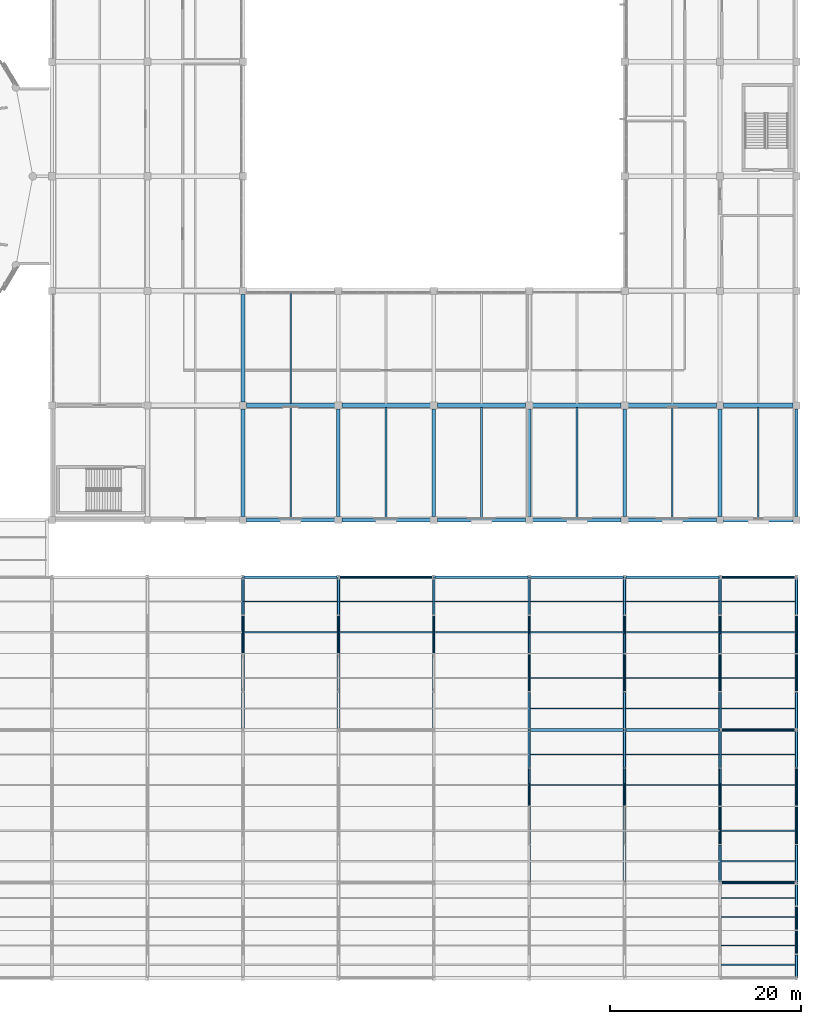
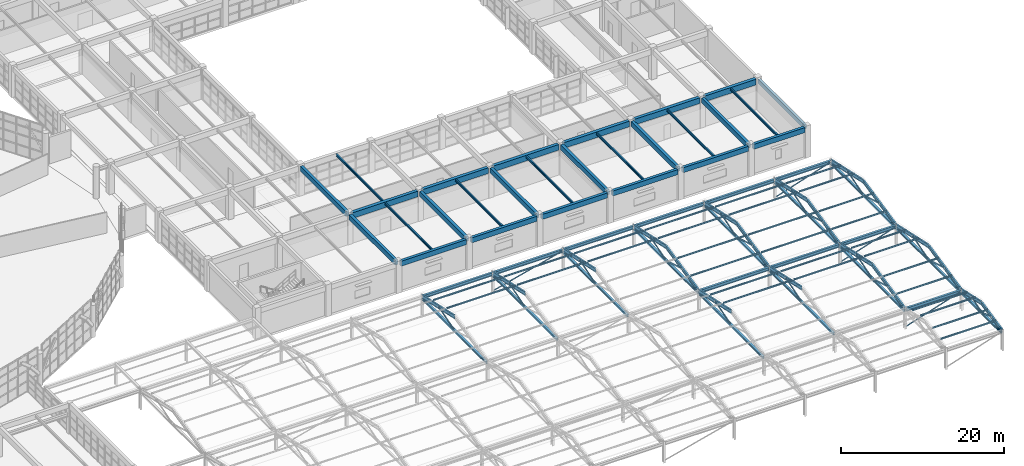
# One storey, part 49 of 109: 65 members, 56 beams.
"""IFC4 building model written with IfcOpenShell, lengths in metres."""

from ifc_helpers import new_model, si_unit, direction, frame, origin, origin_2d, place, context, subcontext, project, spatial, rectangle, hollow_rectangle, hollow_circle, i_section, extrude, material, material_profile, profile_set, type_object, element, save


model = new_model("IFC4")

# Units and contexts
model_context = context("Model", 3, precision=1e-05, world=origin(), true_north=direction((0.0, 1.0)))
body_context = subcontext(model_context, "Body", "Model", "MODEL_VIEW")
ifc_project = project(units=[si_unit("LENGTHUNIT", "METRE"), si_unit("AREAUNIT", "SQUARE_METRE"), si_unit("VOLUMEUNIT", "CUBIC_METRE"), si_unit("PLANEANGLEUNIT", "RADIAN"), si_unit("MASSUNIT", "GRAM", prefix="KILO")], contexts=[model_context])

# Site, building, storey
site_placement = place(None, origin())
site = spatial("IfcSite", under=ifc_project, at=site_placement, CompositionType="ELEMENT")
building_placement = place(site_placement, origin())
building = spatial("IfcBuilding", under=site, at=building_placement, Name="Kivolera Central Railway Station", CompositionType="ELEMENT")
storey_placement = place(building_placement, frame((0.0, 0.0, 9.60009765625)))
storey = spatial("IfcBuildingStorey", under=building, at=storey_placement, Name="L02", CompositionType="ELEMENT", Elevation=9.60009765625)

# Beams
ifc_material_1 = material(Name="Steel S355", Category="steel")
ifc_material_profile_1 = material_profile(ifc_material_1, i_section(OverallWidth=0.169921875, OverallDepth=0.360107421875, WebThickness=0.008056640625, FlangeThickness=0.0126953125, FilletRadius=0.01806640625, at=origin_2d()), Name="IPE 360")
ifc_profile_set_1 = profile_set([ifc_material_profile_1], Name="Steel S355")
beam_type_1 = type_object("IfcBeamType", Name="BM-JST-IPE360", PredefinedType="JOIST", material=ifc_profile_set_1)
beam_1_placement = place(storey_placement, frame((143.0, 54.19189453125, 4.327880859375), z_axis=(0.0, 1.0, 0.0), x_axis=(-1.0, 0.0, 0.0)))
element("IfcBeam", 1, at=beam_1_placement, inside=storey, type_object=beam_type_1, Name="L02 Floor Joist 14-15/E-F", PredefinedType="JOIST", context=body_context, shape_type="SweptSolid", body=[
    extrude(i_section(OverallWidth=0.169921875, OverallDepth=0.360107421875, WebThickness=0.008056640625, FlangeThickness=0.0126953125, FilletRadius=0.01806640625, at=origin_2d()), origin(), (0.0, 0.0, 1.0), 11.591064453125),
])
beam_2_placement = place(storey_placement, frame((143.0, 66.217041015625, 4.327880859375), z_axis=(0.0, 1.0, 0.0), x_axis=(-1.0, 0.0, 0.0)))
element("IfcBeam", 2, at=beam_2_placement, inside=storey, type_object=beam_type_1, Name="L02 Floor Joist 14-15/F-G", PredefinedType="JOIST", context=body_context, shape_type="SweptSolid", body=[
    extrude(i_section(OverallWidth=0.169921875, OverallDepth=0.360107421875, WebThickness=0.008056640625, FlangeThickness=0.0126953125, FilletRadius=0.01806640625, at=origin_2d()), origin(), (0.0, 0.0, 1.0), 11.56591796875),
])
for number, where, z_axis, x_axis, name in (
    (3, (153.0, 54.19189453125, 4.327880859375), (0.0, 1.0, 0.0), (-1.0, 0.0, 0.0), "L02 Floor Joist 15-16/E-F"),
    (4, (163.0, 54.19189453125, 4.327880859375), (0.0, 1.0, 0.0), (-1.0, 0.0, 0.0), "L02 Floor Joist 16-17/E-F"),
    (5, (173.0, 54.19189453125, 4.327880859375), (0.0, 1.0, 0.0), (-1.0, 0.0, 0.0), "L02 Floor Joist 17-18/E-F"),
    (6, (183.0, 54.19189453125, 4.327880859375), (0.0, 1.0, 0.0), (-1.0, 0.0, 0.0), "L02 Floor Joist 18-19/E-F"),
    (7, (192.0, 54.19189453125, 4.327880859375), (0.0, 1.0, 0.0), (-1.0, 0.0, 0.0), "L02 Floor Joist 19-20/E-F"),
):
    element("IfcBeam", number, at=place(storey_placement, frame(where, z_axis=z_axis, x_axis=x_axis)), inside=storey, type_object=beam_type_1, Name=name, PredefinedType="JOIST", context=body_context, shape_type="SweptSolid", body=[
        extrude(i_section(OverallWidth=0.169921875, OverallDepth=0.360107421875, WebThickness=0.008056640625, FlangeThickness=0.0126953125, FilletRadius=0.01806640625, at=origin_2d()), origin(), (0.0, 0.0, 1.0), 11.591064453125),
    ])
ifc_material_2 = material(Name="Concrete C40/50", Category="concrete")
ifc_material_profile_2 = material_profile(ifc_material_2, rectangle(XDim=0.39990234375, YDim=0.75, at=origin_2d()), Name="RC 400x750")
ifc_profile_set_2 = profile_set([ifc_material_profile_2], Name="Concrete C40/50")
beam_type_2 = type_object("IfcBeamType", Name="BM-RC-400x750", PredefinedType="BEAM", material=ifc_profile_set_2)
for number, where, z_axis, x_axis, name in (
    (8, (138.0, 54.366943359375, 4.14501953125), (0.0, 1.0, 0.0), (-1.0, 0.0, 0.0), "L02 Wing Y-Beam 14:E-F"),
    (9, (138.0, 66.366943359375, 4.14501953125), (0.0, 1.0, 0.0), (-1.0, 0.0, 0.0), "L02 Wing Y-Beam 14:F-G"),
    (10, (148.0, 54.366943359375, 4.14501953125), (0.0, 1.0, 0.0), (-1.0, 0.0, 0.0), "L02 Wing Y-Beam 15:E-F"),
    (11, (158.0, 54.366943359375, 4.14501953125), (0.0, 1.0, 0.0), (-1.0, 0.0, 0.0), "L02 Wing Y-Beam 16:E-F"),
    (12, (168.0, 54.366943359375, 4.14501953125), (0.0, 1.0, 0.0), (-1.0, 0.0, 0.0), "L02 Wing Y-Beam 17:E-F"),
    (13, (178.0, 54.366943359375, 4.14501953125), (0.0, 1.0, 0.0), (-1.0, 0.0, 0.0), "L02 Wing Y-Beam 18:E-F"),
    (14, (188.0, 54.366943359375, 4.14501953125), (0.0, 1.0, 0.0), (-1.0, 0.0, 0.0), "L02 Wing Y-Beam 19:E-F"),
):
    element("IfcBeam", number, at=place(storey_placement, frame(where, z_axis=z_axis, x_axis=x_axis)), inside=storey, type_object=beam_type_2, Name=name, PredefinedType="BEAM", context=body_context, shape_type="SweptSolid", body=[
        extrude(rectangle(XDim=0.39990234375, YDim=0.75, at=origin_2d()), origin(), (0.0, 0.0, 1.0), 11.26611328125),
    ])
ifc_material_profile_3 = material_profile(ifc_material_2, rectangle(XDim=0.449951171875, YDim=0.85009765625, at=origin_2d()), Name="RC 450x850")
ifc_profile_set_3 = profile_set([ifc_material_profile_3], Name="Concrete C40/50")
beam_type_3 = type_object("IfcBeamType", Name="BM-RC-450x850", PredefinedType="BEAM", material=ifc_profile_set_3)
for number, where, z_axis, x_axis, name in (
    (15, (138.366943359375, 66.0, 4.094970703125), (1.0, 0.0, 0.0), (0.0, 1.0, 0.0), "L02 Wing X-Beam F:14-15"),
    (16, (148.366943359375, 66.0, 4.094970703125), (1.0, 0.0, 0.0), (0.0, 1.0, 0.0), "L02 Wing X-Beam F:15-16"),
    (17, (158.366943359375, 66.0, 4.094970703125), (1.0, 0.0, 0.0), (0.0, 1.0, 0.0), "L02 Wing X-Beam F:16-17"),
    (18, (168.366943359375, 66.0, 4.094970703125), (1.0, 0.0, 0.0), (0.0, 1.0, 0.0), "L02 Wing X-Beam F:17-18"),
    (19, (178.366943359375, 66.0, 4.094970703125), (1.0, 0.0, 0.0), (0.0, 1.0, 0.0), "L02 Wing X-Beam F:18-19"),
):
    element("IfcBeam", number, at=place(storey_placement, frame(where, z_axis=z_axis, x_axis=x_axis)), inside=storey, type_object=beam_type_3, Name=name, PredefinedType="BEAM", context=body_context, shape_type="SweptSolid", body=[
        extrude(rectangle(XDim=0.449951171875, YDim=0.85009765625, at=origin_2d()), origin(), (0.0, 0.0, 1.0), 9.26611328125),
    ])
beam_3_placement = place(storey_placement, frame((188.366943359375, 66.0, 4.094970703125), z_axis=(1.0, 0.0, 0.0), x_axis=(0.0, 1.0, 0.0)))
element("IfcBeam", 20, at=beam_3_placement, inside=storey, type_object=beam_type_3, Name="L02 Wing X-Beam F:19-20", PredefinedType="BEAM", context=body_context, shape_type="SweptSolid", body=[
    extrude(rectangle(XDim=0.449951171875, YDim=0.85009765625, at=origin_2d()), origin(), (0.0, 0.0, 1.0), 7.26611328125),
])
ifc_material_profile_4 = material_profile(ifc_material_1, i_section(OverallWidth=0.300048828125, OverallDepth=0.489990234375, WebThickness=0.011962890625, FlangeThickness=0.02294921875, FilletRadius=0.027099609375, at=origin_2d()), Name="HEA 500")
ifc_profile_set_4 = profile_set([ifc_material_profile_4], Name="Steel S355")
beam_type_4 = type_object("IfcBeamType", Name="BM-SHD-HEA500", PredefinedType="BEAM", material=ifc_profile_set_4)
for number, where, z_axis, x_axis, name in (
    (21, (138.136962890625, 48.0, 2.81982421875), (1.0, 0.0, 0.0), (0.0, 1.0, 0.0), "Train Shed Eave Girder D:14-15"),
    (22, (148.136962890625, 48.0, 2.81982421875), (1.0, 0.0, 0.0), (0.0, 1.0, 0.0), "Train Shed Eave Girder D:15-16"),
    (23, (158.136962890625, 48.0, 2.81982421875), (1.0, 0.0, 0.0), (0.0, 1.0, 0.0), "Train Shed Eave Girder D:16-17"),
    (24, (168.136962890625, 32.0, 2.81982421875), (1.0, 0.0, 0.0), (0.0, 1.0, 0.0), "Train Shed Eave Girder C:17-18"),
    (25, (168.136962890625, 48.0, 2.81982421875), (1.0, 0.0, 0.0), (0.0, 1.0, 0.0), "Train Shed Eave Girder D:17-18"),
    (26, (178.136962890625, 32.0, 2.81982421875), (1.0, 0.0, 0.0), (0.0, 1.0, 0.0), "Train Shed Eave Girder C:18-19"),
    (27, (178.136962890625, 48.0, 2.81982421875), (1.0, 0.0, 0.0), (0.0, 1.0, 0.0), "Train Shed Eave Girder D:18-19"),
):
    element("IfcBeam", number, at=place(storey_placement, frame(where, z_axis=z_axis, x_axis=x_axis)), inside=storey, type_object=beam_type_4, Name=name, PredefinedType="BEAM", context=body_context, shape_type="SweptSolid", body=[
        extrude(i_section(OverallWidth=0.300048828125, OverallDepth=0.489990234375, WebThickness=0.011962890625, FlangeThickness=0.02294921875, FilletRadius=0.027099609375, at=origin_2d()), origin(), (0.0, 0.0, 1.0), 9.72607421875),
    ])
for number, where, z_axis, x_axis, name in (
    (28, (188.136962890625, 16.0, 2.81982421875), (1.0, 0.0, 0.0), (0.0, 1.0, 0.0), "Train Shed Eave Girder B:19-20"),
    (29, (188.136962890625, 32.0, 2.81982421875), (1.0, 0.0, 0.0), (0.0, 1.0, 0.0), "Train Shed Eave Girder C:19-20"),
    (30, (188.136962890625, 48.0, 2.81982421875), (1.0, 0.0, 0.0), (0.0, 1.0, 0.0), "Train Shed Eave Girder D:19-20"),
):
    element("IfcBeam", number, at=place(storey_placement, frame(where, z_axis=z_axis, x_axis=x_axis)), inside=storey, type_object=beam_type_4, Name=name, PredefinedType="BEAM", context=body_context, shape_type="SweptSolid", body=[
        extrude(i_section(OverallWidth=0.300048828125, OverallDepth=0.489990234375, WebThickness=0.011962890625, FlangeThickness=0.02294921875, FilletRadius=0.027099609375, at=origin_2d()), origin(), (0.0, 0.0, 1.0), 7.72607421875),
    ])
ifc_material_profile_5 = material_profile(ifc_material_1, i_section(OverallWidth=0.209228515625, OverallDepth=0.533203125, WebThickness=0.010009765625, FlangeThickness=0.015625, FilletRadius=0.0126953125, at=origin_2d()), Name="UB 533x210x92")
ifc_profile_set_5 = profile_set([ifc_material_profile_5], Name="Steel S355")
beam_type_5 = type_object("IfcBeamType", Name="BM-SHD-UB533", PredefinedType="BEAM", material=ifc_profile_set_5)
for number, where, z_axis, x_axis, name in (
    (31, (138.0, 40.0, 4.684814453125), (0.0, 0.97664421653, -0.214862919829), (-1.0, 0.0, 0.0), "Train Shed Roof Truss Top Rafter CD-14N"),
    (32, (148.0, 40.0, 4.684814453125), (0.0, 0.97664421653, -0.214862919829), (-1.0, 0.0, 0.0), "Train Shed Roof Truss Top Rafter CD-15N"),
    (33, (158.0, 40.0, 4.684814453125), (0.0, 0.97664421653, -0.214862919829), (-1.0, 0.0, 0.0), "Train Shed Roof Truss Top Rafter CD-16N"),
    (34, (168.0, 24.0, 4.684814453125), (0.0, 0.97664421653, -0.214862919829), (-1.0, 0.0, 0.0), "Train Shed Roof Truss Top Rafter BC-17N"),
    (35, (168.0, 32.0, 2.9248046875), (0.0, 0.97664421653, 0.214862919829), (-1.0, 0.0, 0.0), "Train Shed Roof Truss Top Rafter CD-17S"),
    (36, (168.0, 40.0, 4.684814453125), (0.0, 0.97664421653, -0.214862919829), (-1.0, 0.0, 0.0), "Train Shed Roof Truss Top Rafter CD-17N"),
    (37, (178.0, 24.0, 4.684814453125), (0.0, 0.97664421653, -0.214862919829), (-1.0, 0.0, 0.0), "Train Shed Roof Truss Top Rafter BC-18N"),
    (38, (178.0, 32.0, 2.9248046875), (0.0, 0.97664421653, 0.214862919829), (-1.0, 0.0, 0.0), "Train Shed Roof Truss Top Rafter CD-18S"),
    (39, (178.0, 40.0, 4.684814453125), (0.0, 0.97664421653, -0.214862919829), (-1.0, 0.0, 0.0), "Train Shed Roof Truss Top Rafter CD-18N"),
    (40, (188.0, 16.0, 2.9248046875), (0.0, 0.97664421653, 0.214862919829), (-1.0, 0.0, 0.0), "Train Shed Roof Truss Top Rafter BC-19S"),
    (41, (188.0, 24.0, 4.684814453125), (0.0, 0.97664421653, -0.214862919829), (-1.0, 0.0, 0.0), "Train Shed Roof Truss Top Rafter BC-19N"),
    (42, (188.0, 32.0, 2.9248046875), (0.0, 0.97664421653, 0.214862919829), (-1.0, 0.0, 0.0), "Train Shed Roof Truss Top Rafter CD-19S"),
    (43, (188.0, 40.0, 4.684814453125), (0.0, 0.97664421653, -0.214862919829), (-1.0, 0.0, 0.0), "Train Shed Roof Truss Top Rafter CD-19N"),
):
    element("IfcBeam", number, at=place(storey_placement, frame(where, z_axis=z_axis, x_axis=x_axis)), inside=storey, type_object=beam_type_5, Name=name, PredefinedType="BEAM", context=body_context, shape_type="SweptSolid", body=[
        extrude(i_section(OverallWidth=0.209228515625, OverallDepth=0.533203125, WebThickness=0.010009765625, FlangeThickness=0.015625, FilletRadius=0.0126953125, at=origin_2d()), origin(), (0.0, 0.0, 1.0), 8.19140625),
    ])
for number, where, z_axis, x_axis, name in (
    (44, (196.0, 6.0, 2.9248046875), (0.0, 0.976640463768, 0.214879977038), (-1.0, 0.0, 0.0), "Train Shed Roof Truss Top Rafter AB-20S"),
    (45, (196.0, 11.0, 4.02490234375), (0.0, 0.976640463768, -0.214879977038), (-1.0, 0.0, 0.0), "Train Shed Roof Truss Top Rafter AB-20N"),
):
    element("IfcBeam", number, at=place(storey_placement, frame(where, z_axis=z_axis, x_axis=x_axis)), inside=storey, type_object=beam_type_5, Name=name, PredefinedType="BEAM", context=body_context, shape_type="SweptSolid", body=[
        extrude(i_section(OverallWidth=0.209228515625, OverallDepth=0.533203125, WebThickness=0.010009765625, FlangeThickness=0.015625, FilletRadius=0.0126953125, at=origin_2d()), origin(), (0.0, 0.0, 1.0), 5.11962890625),
    ])
for number, where, z_axis, x_axis, name in (
    (46, (196.0, 16.0, 2.9248046875), (0.0, 0.97664421653, 0.214862919829), (-1.0, 0.0, 0.0), "Train Shed Roof Truss Top Rafter BC-20S"),
    (47, (196.0, 24.0, 4.684814453125), (0.0, 0.97664421653, -0.214862919829), (-1.0, 0.0, 0.0), "Train Shed Roof Truss Top Rafter BC-20N"),
    (48, (196.0, 32.0, 2.9248046875), (0.0, 0.97664421653, 0.214862919829), (-1.0, 0.0, 0.0), "Train Shed Roof Truss Top Rafter CD-20S"),
    (49, (196.0, 40.0, 4.684814453125), (0.0, 0.97664421653, -0.214862919829), (-1.0, 0.0, 0.0), "Train Shed Roof Truss Top Rafter CD-20N"),
):
    element("IfcBeam", number, at=place(storey_placement, frame(where, z_axis=z_axis, x_axis=x_axis)), inside=storey, type_object=beam_type_5, Name=name, PredefinedType="BEAM", context=body_context, shape_type="SweptSolid", body=[
        extrude(i_section(OverallWidth=0.209228515625, OverallDepth=0.533203125, WebThickness=0.010009765625, FlangeThickness=0.015625, FilletRadius=0.0126953125, at=origin_2d()), origin(), (0.0, 0.0, 1.0), 8.19140625),
    ])
ifc_material_profile_6 = material_profile(ifc_material_2, rectangle(XDim=0.35009765625, YDim=0.64990234375, at=origin_2d()), Name="RC 350x650")
ifc_profile_set_6 = profile_set([ifc_material_profile_6], Name="Concrete C40/50")
beam_type_6 = type_object("IfcBeamType", Name="BM-SPN-RC650", PredefinedType="SPANDREL", material=ifc_profile_set_6)
beam_4_placement = place(storey_placement, frame((196.0, 54.366943359375, 4.19482421875), z_axis=(0.0, 1.0, 0.0), x_axis=(-1.0, 0.0, 0.0)))
element("IfcBeam", 50, at=beam_4_placement, inside=storey, type_object=beam_type_6, Name="L02 Wing Y-Beam 20:E-F", PredefinedType="SPANDREL", context=body_context, shape_type="SweptSolid", body=[
    extrude(rectangle(XDim=0.35009765625, YDim=0.64990234375, at=origin_2d()), origin(), (0.0, 0.0, 1.0), 11.26611328125),
])
ifc_material_profile_7 = material_profile(ifc_material_2, rectangle(XDim=0.39990234375, YDim=0.75, at=origin_2d()), Name="RC 400x750")
ifc_profile_set_7 = profile_set([ifc_material_profile_7], Name="Concrete C40/50")
beam_type_7 = type_object("IfcBeamType", Name="BM-SPN-RC750", PredefinedType="SPANDREL", material=ifc_profile_set_7)
for number, where, z_axis, x_axis, name in (
    (51, (138.366943359375, 54.0, 4.14501953125), (1.0, 0.0, 0.0), (0.0, 1.0, 0.0), "L02 Wing X-Beam E:14-15"),
    (52, (148.366943359375, 54.0, 4.14501953125), (1.0, 0.0, 0.0), (0.0, 1.0, 0.0), "L02 Wing X-Beam E:15-16"),
    (53, (158.366943359375, 54.0, 4.14501953125), (1.0, 0.0, 0.0), (0.0, 1.0, 0.0), "L02 Wing X-Beam E:16-17"),
    (54, (168.366943359375, 54.0, 4.14501953125), (1.0, 0.0, 0.0), (0.0, 1.0, 0.0), "L02 Wing X-Beam E:17-18"),
    (55, (178.366943359375, 54.0, 4.14501953125), (1.0, 0.0, 0.0), (0.0, 1.0, 0.0), "L02 Wing X-Beam E:18-19"),
):
    element("IfcBeam", number, at=place(storey_placement, frame(where, z_axis=z_axis, x_axis=x_axis)), inside=storey, type_object=beam_type_7, Name=name, PredefinedType="SPANDREL", context=body_context, shape_type="SweptSolid", body=[
        extrude(rectangle(XDim=0.39990234375, YDim=0.75, at=origin_2d()), origin(), (0.0, 0.0, 1.0), 9.26611328125),
    ])
beam_5_placement = place(storey_placement, frame((188.366943359375, 54.0, 4.14501953125), z_axis=(1.0, 0.0, 0.0), x_axis=(0.0, 1.0, 0.0)))
element("IfcBeam", 56, at=beam_5_placement, inside=storey, type_object=beam_type_7, Name="L02 Wing X-Beam E:19-20", PredefinedType="SPANDREL", context=body_context, shape_type="SweptSolid", body=[
    extrude(rectangle(XDim=0.39990234375, YDim=0.75, at=origin_2d()), origin(), (0.0, 0.0, 1.0), 7.26611328125),
])

# Members
ifc_material_profile_8 = material_profile(ifc_material_1, hollow_circle(Radius=0.084228515625, WallThickness=0.008056640625, at=origin_2d()), Name="CHS 168.3x8")
ifc_profile_set_8 = profile_set([ifc_material_profile_8], Name="Steel S355")
member_type_1 = type_object("IfcMemberType", Name="MEM-BRC-CHS168", PredefinedType="BRACE", material=ifc_profile_set_8)
member_1_placement = place(storey_placement, frame((148.126953125, 48.0, 0.25), z_axis=(0.96863991136, 0.0, 0.248468754818), x_axis=(0.0, 1.0, 0.0)))
element("IfcMember", 57, at=member_1_placement, inside=storey, type_object=member_type_1, Name="Train Shed Longitudinal Portal Brace D:15-16", PredefinedType="BRACE", context=body_context, shape_type="SweptSolid", body=[
    extrude(hollow_circle(Radius=0.084228515625, WallThickness=0.008056640625, at=origin_2d()), origin(), (0.0, 0.0, 1.0), 10.0615234375),
])
for number, where, z_axis, x_axis, name in (
    (58, (188.126953125, 16.0, 0.25), (0.951663375487, 0.0, 0.307142995618), (0.0, 1.0, 0.0), "Train Shed Longitudinal Portal Brace B:19-20"),
    (59, (188.126953125, 32.0, 0.25), (0.951663375487, 0.0, 0.307142995618), (0.0, 1.0, 0.0), "Train Shed Longitudinal Portal Brace C:19-20"),
    (60, (188.126953125, 48.0, 0.25), (0.951663375487, 0.0, 0.307142995618), (0.0, 1.0, 0.0), "Train Shed Longitudinal Portal Brace D:19-20"),
):
    element("IfcMember", number, at=place(storey_placement, frame(where, z_axis=z_axis, x_axis=x_axis)), inside=storey, type_object=member_type_1, Name=name, PredefinedType="BRACE", context=body_context, shape_type="SweptSolid", body=[
        extrude(hollow_circle(Radius=0.084228515625, WallThickness=0.008056640625, at=origin_2d()), origin(), (0.0, 0.0, 1.0), 8.1396484375),
    ])
ifc_material_profile_9 = material_profile(ifc_material_1, i_section(OverallWidth=0.300048828125, OverallDepth=0.300048828125, WebThickness=0.010986328125, FlangeThickness=0.01904296875, FilletRadius=0.027099609375, at=origin_2d()), Name="HEB 300")
ifc_profile_set_9 = profile_set([ifc_material_profile_9], Name="Steel S355")
member_type_2 = type_object("IfcMemberType", Name="MEM-CHD-HEB300", PredefinedType="CHORD", material=ifc_profile_set_9)
for number, where, z_axis, x_axis, name in (
    (61, (138.0, 32.080078125, 2.619873046875), (0.0, 1.0, 0.0), (-1.0, 0.0, 0.0), "Train Shed Roof Truss Bottom Tie Chord CD-14"),
    (62, (148.0, 32.080078125, 2.619873046875), (0.0, 1.0, 0.0), (-1.0, 0.0, 0.0), "Train Shed Roof Truss Bottom Tie Chord CD-15"),
    (63, (158.0, 32.080078125, 2.619873046875), (0.0, 1.0, 0.0), (-1.0, 0.0, 0.0), "Train Shed Roof Truss Bottom Tie Chord CD-16"),
    (64, (168.0, 16.080078125, 2.619873046875), (0.0, 1.0, 0.0), (-1.0, 0.0, 0.0), "Train Shed Roof Truss Bottom Tie Chord BC-17"),
    (65, (168.0, 32.080078125, 2.619873046875), (0.0, 1.0, 0.0), (-1.0, 0.0, 0.0), "Train Shed Roof Truss Bottom Tie Chord CD-17"),
    (66, (178.0, 16.080078125, 2.619873046875), (0.0, 1.0, 0.0), (-1.0, 0.0, 0.0), "Train Shed Roof Truss Bottom Tie Chord BC-18"),
    (67, (178.0, 32.080078125, 2.619873046875), (0.0, 1.0, 0.0), (-1.0, 0.0, 0.0), "Train Shed Roof Truss Bottom Tie Chord CD-18"),
    (68, (188.0, 16.080078125, 2.619873046875), (0.0, 1.0, 0.0), (-1.0, 0.0, 0.0), "Train Shed Roof Truss Bottom Tie Chord BC-19"),
    (69, (188.0, 32.080078125, 2.619873046875), (0.0, 1.0, 0.0), (-1.0, 0.0, 0.0), "Train Shed Roof Truss Bottom Tie Chord CD-19"),
):
    element("IfcMember", number, at=place(storey_placement, frame(where, z_axis=z_axis, x_axis=x_axis)), inside=storey, type_object=member_type_2, Name=name, PredefinedType="CHORD", context=body_context, shape_type="SweptSolid", body=[
        extrude(i_section(OverallWidth=0.300048828125, OverallDepth=0.300048828125, WebThickness=0.010986328125, FlangeThickness=0.01904296875, FilletRadius=0.027099609375, at=origin_2d()), origin(), (0.0, 0.0, 1.0), 15.83984375),
    ])
member_2_placement = place(storey_placement, frame((196.0, 6.080078125, 2.619873046875), z_axis=(0.0, 1.0, 0.0), x_axis=(-1.0, 0.0, 0.0)))
element("IfcMember", 70, at=member_2_placement, inside=storey, type_object=member_type_2, Name="Train Shed Roof Truss Bottom Tie Chord AB-20", PredefinedType="CHORD", context=body_context, shape_type="SweptSolid", body=[
    extrude(i_section(OverallWidth=0.300048828125, OverallDepth=0.300048828125, WebThickness=0.010986328125, FlangeThickness=0.01904296875, FilletRadius=0.027099609375, at=origin_2d()), origin(), (0.0, 0.0, 1.0), 9.83984375),
])
for number, where, z_axis, x_axis, name in (
    (71, (196.0, 16.080078125, 2.619873046875), (0.0, 1.0, 0.0), (-1.0, 0.0, 0.0), "Train Shed Roof Truss Bottom Tie Chord BC-20"),
    (72, (196.0, 32.080078125, 2.619873046875), (0.0, 1.0, 0.0), (-1.0, 0.0, 0.0), "Train Shed Roof Truss Bottom Tie Chord CD-20"),
):
    element("IfcMember", number, at=place(storey_placement, frame(where, z_axis=z_axis, x_axis=x_axis)), inside=storey, type_object=member_type_2, Name=name, PredefinedType="CHORD", context=body_context, shape_type="SweptSolid", body=[
        extrude(i_section(OverallWidth=0.300048828125, OverallDepth=0.300048828125, WebThickness=0.010986328125, FlangeThickness=0.01904296875, FilletRadius=0.027099609375, at=origin_2d()), origin(), (0.0, 0.0, 1.0), 15.83984375),
    ])
ifc_material_profile_10 = material_profile(ifc_material_1, i_section(OverallWidth=0.1201171875, OverallDepth=0.239990234375, WebThickness=0.006103515625, FlangeThickness=0.009765625, FilletRadius=0.014892578125, at=origin_2d()), Name="IPE 240")
ifc_profile_set_10 = profile_set([ifc_material_profile_10], Name="Steel S355")
member_type_3 = type_object("IfcMemberType", Name="MEM-PUR-IPE240", PredefinedType="PURLIN", material=ifc_profile_set_10)
for number, where, z_axis, x_axis, name in (
    (73, (138.080078125, 42.239990234375, 4.572021484375), (1.0, 0.0, 0.0), (0.0, 1.0, 0.0), "Train Shed Roof Purlin CD-14-N1"),
    (74, (138.080078125, 45.43994140625, 3.867919921875), (1.0, 0.0, 0.0), (0.0, 1.0, 0.0), "Train Shed Roof Purlin CD-14-N2"),
    (75, (148.080078125, 42.239990234375, 4.572021484375), (1.0, 0.0, 0.0), (0.0, 1.0, 0.0), "Train Shed Roof Purlin CD-15-N1"),
    (76, (148.080078125, 45.43994140625, 3.867919921875), (1.0, 0.0, 0.0), (0.0, 1.0, 0.0), "Train Shed Roof Purlin CD-15-N2"),
    (77, (158.080078125, 42.239990234375, 4.572021484375), (1.0, 0.0, 0.0), (0.0, 1.0, 0.0), "Train Shed Roof Purlin CD-16-N1"),
    (78, (158.080078125, 45.43994140625, 3.867919921875), (1.0, 0.0, 0.0), (0.0, 1.0, 0.0), "Train Shed Roof Purlin CD-16-N2"),
    (79, (168.080078125, 26.239990234375, 4.572021484375), (1.0, 0.0, 0.0), (0.0, 1.0, 0.0), "Train Shed Roof Purlin BC-17-N1"),
    (80, (168.080078125, 29.43994140625, 3.867919921875), (1.0, 0.0, 0.0), (0.0, 1.0, 0.0), "Train Shed Roof Purlin BC-17-N2"),
    (81, (168.080078125, 34.239990234375, 3.7978515625), (1.0, 0.0, 0.0), (0.0, 1.0, 0.0), "Train Shed Roof Purlin CD-17-S1"),
    (82, (168.080078125, 42.239990234375, 4.572021484375), (1.0, 0.0, 0.0), (0.0, 1.0, 0.0), "Train Shed Roof Purlin CD-17-N1"),
    (83, (168.080078125, 37.43994140625, 4.501953125), (1.0, 0.0, 0.0), (0.0, 1.0, 0.0), "Train Shed Roof Purlin CD-17-S2"),
    (84, (168.080078125, 45.43994140625, 3.867919921875), (1.0, 0.0, 0.0), (0.0, 1.0, 0.0), "Train Shed Roof Purlin CD-17-N2"),
    (85, (178.080078125, 26.239990234375, 4.572021484375), (1.0, 0.0, 0.0), (0.0, 1.0, 0.0), "Train Shed Roof Purlin BC-18-N1"),
    (86, (178.080078125, 29.43994140625, 3.867919921875), (1.0, 0.0, 0.0), (0.0, 1.0, 0.0), "Train Shed Roof Purlin BC-18-N2"),
    (87, (178.080078125, 34.239990234375, 3.7978515625), (1.0, 0.0, 0.0), (0.0, 1.0, 0.0), "Train Shed Roof Purlin CD-18-S1"),
    (88, (178.080078125, 42.239990234375, 4.572021484375), (1.0, 0.0, 0.0), (0.0, 1.0, 0.0), "Train Shed Roof Purlin CD-18-N1"),
    (89, (178.080078125, 37.43994140625, 4.501953125), (1.0, 0.0, 0.0), (0.0, 1.0, 0.0), "Train Shed Roof Purlin CD-18-S2"),
    (90, (178.080078125, 45.43994140625, 3.867919921875), (1.0, 0.0, 0.0), (0.0, 1.0, 0.0), "Train Shed Roof Purlin CD-18-N2"),
):
    element("IfcMember", number, at=place(storey_placement, frame(where, z_axis=z_axis, x_axis=x_axis)), inside=storey, type_object=member_type_3, Name=name, PredefinedType="PURLIN", context=body_context, shape_type="SweptSolid", body=[
        extrude(i_section(OverallWidth=0.1201171875, OverallDepth=0.239990234375, WebThickness=0.006103515625, FlangeThickness=0.009765625, FilletRadius=0.014892578125, at=origin_2d()), origin(), (0.0, 0.0, 1.0), 9.83984375),
    ])
for number, where, z_axis, x_axis, name in (
    (91, (188.080078125, 7.39990234375, 3.61279296875), (1.0, 0.0, 0.0), (0.0, 1.0, 0.0), "Train Shed Roof Purlin AB-19-S1"),
    (92, (188.080078125, 12.39990234375, 4.096923828125), (1.0, 0.0, 0.0), (0.0, 1.0, 0.0), "Train Shed Roof Purlin AB-19-N1"),
    (93, (188.080078125, 9.39990234375, 4.052978515625), (1.0, 0.0, 0.0), (0.0, 1.0, 0.0), "Train Shed Roof Purlin AB-19-S2"),
    (94, (188.080078125, 14.39990234375, 3.656982421875), (1.0, 0.0, 0.0), (0.0, 1.0, 0.0), "Train Shed Roof Purlin AB-19-N2"),
    (95, (188.080078125, 18.239990234375, 3.7978515625), (1.0, 0.0, 0.0), (0.0, 1.0, 0.0), "Train Shed Roof Purlin BC-19-S1"),
    (96, (188.080078125, 26.239990234375, 4.572021484375), (1.0, 0.0, 0.0), (0.0, 1.0, 0.0), "Train Shed Roof Purlin BC-19-N1"),
    (97, (188.080078125, 21.43994140625, 4.501953125), (1.0, 0.0, 0.0), (0.0, 1.0, 0.0), "Train Shed Roof Purlin BC-19-S2"),
    (98, (188.080078125, 29.43994140625, 3.867919921875), (1.0, 0.0, 0.0), (0.0, 1.0, 0.0), "Train Shed Roof Purlin BC-19-N2"),
    (99, (188.080078125, 34.239990234375, 3.7978515625), (1.0, 0.0, 0.0), (0.0, 1.0, 0.0), "Train Shed Roof Purlin CD-19-S1"),
    (100, (188.080078125, 42.239990234375, 4.572021484375), (1.0, 0.0, 0.0), (0.0, 1.0, 0.0), "Train Shed Roof Purlin CD-19-N1"),
    (101, (188.080078125, 37.43994140625, 4.501953125), (1.0, 0.0, 0.0), (0.0, 1.0, 0.0), "Train Shed Roof Purlin CD-19-S2"),
    (102, (188.080078125, 45.43994140625, 3.867919921875), (1.0, 0.0, 0.0), (0.0, 1.0, 0.0), "Train Shed Roof Purlin CD-19-N2"),
):
    element("IfcMember", number, at=place(storey_placement, frame(where, z_axis=z_axis, x_axis=x_axis)), inside=storey, type_object=member_type_3, Name=name, PredefinedType="PURLIN", context=body_context, shape_type="SweptSolid", body=[
        extrude(i_section(OverallWidth=0.1201171875, OverallDepth=0.239990234375, WebThickness=0.006103515625, FlangeThickness=0.009765625, FilletRadius=0.014892578125, at=origin_2d()), origin(), (0.0, 0.0, 1.0), 7.83984375),
    ])
ifc_material_profile_11 = material_profile(ifc_material_1, hollow_rectangle(XDim=0.10009765625, YDim=0.199951171875, WallThickness=0.010009765625, at=origin_2d()), Name="RHS 200x100x10")
ifc_profile_set_11 = profile_set([ifc_material_profile_11], Name="Steel S355")
member_type_4 = type_object("IfcMemberType", Name="MEM-STR-RHS200", PredefinedType="STRUT", material=ifc_profile_set_11)
for number, where, z_axis, x_axis, name in (
    (103, (138.0, 40.0, 2.619873046875), (0.0, 0.958806377549, 0.284060434364), (-1.0, 0.0, 0.0), "Train Shed Truss Web Strut CD-14-2"),
    (104, (148.0, 40.0, 2.619873046875), (0.0, 0.958806377549, 0.284060434364), (-1.0, 0.0, 0.0), "Train Shed Truss Web Strut CD-15-2"),
    (105, (158.0, 40.0, 2.619873046875), (0.0, 0.958806377549, 0.284060434364), (-1.0, 0.0, 0.0), "Train Shed Truss Web Strut CD-16-2"),
    (106, (168.0, 24.0, 2.619873046875), (0.0, 0.958806377549, 0.284060434364), (-1.0, 0.0, 0.0), "Train Shed Truss Web Strut BC-17-2"),
    (107, (168.0, 40.0, 2.619873046875), (0.0, -0.958806377549, 0.284060434364), (1.0, 0.0, 0.0), "Train Shed Truss Web Strut CD-17-1"),
    (108, (168.0, 40.0, 2.619873046875), (0.0, 0.958806377549, 0.284060434364), (-1.0, 0.0, 0.0), "Train Shed Truss Web Strut CD-17-2"),
    (109, (178.0, 24.0, 2.619873046875), (0.0, 0.958806377549, 0.284060434364), (-1.0, 0.0, 0.0), "Train Shed Truss Web Strut BC-18-2"),
    (110, (178.0, 40.0, 2.619873046875), (0.0, -0.958806377549, 0.284060434364), (1.0, 0.0, 0.0), "Train Shed Truss Web Strut CD-18-1"),
    (111, (178.0, 40.0, 2.619873046875), (0.0, 0.958806377549, 0.284060434364), (-1.0, 0.0, 0.0), "Train Shed Truss Web Strut CD-18-2"),
    (112, (188.0, 24.0, 2.619873046875), (0.0, -0.958806377549, 0.284060434364), (1.0, 0.0, 0.0), "Train Shed Truss Web Strut BC-19-1"),
    (113, (188.0, 24.0, 2.619873046875), (0.0, 0.958806377549, 0.284060434364), (-1.0, 0.0, 0.0), "Train Shed Truss Web Strut BC-19-2"),
    (114, (188.0, 40.0, 2.619873046875), (0.0, -0.958806377549, 0.284060434364), (1.0, 0.0, 0.0), "Train Shed Truss Web Strut CD-19-1"),
    (115, (188.0, 40.0, 2.619873046875), (0.0, 0.958806377549, 0.284060434364), (-1.0, 0.0, 0.0), "Train Shed Truss Web Strut CD-19-2"),
):
    element("IfcMember", number, at=place(storey_placement, frame(where, z_axis=z_axis, x_axis=x_axis)), inside=storey, type_object=member_type_4, Name=name, PredefinedType="STRUT", context=body_context, shape_type="SweptSolid", body=[
        extrude(hollow_rectangle(XDim=0.10009765625, YDim=0.199951171875, WallThickness=0.010009765625, at=origin_2d()), origin(), (0.0, 0.0, 1.0), 4.171875),
    ])
for number, where, z_axis, x_axis, name in (
    (116, (196.0, 11.0, 2.619873046875), (0.0, -0.946196747594, 0.323591895515), (1.0, 0.0, 0.0), "Train Shed Truss Web Strut AB-20-1"),
    (117, (196.0, 11.0, 2.619873046875), (0.0, 0.946196747594, 0.323591895515), (-1.0, 0.0, 0.0), "Train Shed Truss Web Strut AB-20-2"),
):
    element("IfcMember", number, at=place(storey_placement, frame(where, z_axis=z_axis, x_axis=x_axis)), inside=storey, type_object=member_type_4, Name=name, PredefinedType="STRUT", context=body_context, shape_type="SweptSolid", body=[
        extrude(hollow_rectangle(XDim=0.10009765625, YDim=0.199951171875, WallThickness=0.010009765625, at=origin_2d()), origin(), (0.0, 0.0, 1.0), 2.64208984375),
    ])
for number, where, z_axis, x_axis, name in (
    (118, (196.0, 24.0, 2.619873046875), (0.0, -0.958806377549, 0.284060434364), (1.0, 0.0, 0.0), "Train Shed Truss Web Strut BC-20-1"),
    (119, (196.0, 24.0, 2.619873046875), (0.0, 0.958806377549, 0.284060434364), (-1.0, 0.0, 0.0), "Train Shed Truss Web Strut BC-20-2"),
    (120, (196.0, 40.0, 2.619873046875), (0.0, -0.958806377549, 0.284060434364), (1.0, 0.0, 0.0), "Train Shed Truss Web Strut CD-20-1"),
    (121, (196.0, 40.0, 2.619873046875), (0.0, 0.958806377549, 0.284060434364), (-1.0, 0.0, 0.0), "Train Shed Truss Web Strut CD-20-2"),
):
    element("IfcMember", number, at=place(storey_placement, frame(where, z_axis=z_axis, x_axis=x_axis)), inside=storey, type_object=member_type_4, Name=name, PredefinedType="STRUT", context=body_context, shape_type="SweptSolid", body=[
        extrude(hollow_rectangle(XDim=0.10009765625, YDim=0.199951171875, WallThickness=0.010009765625, at=origin_2d()), origin(), (0.0, 0.0, 1.0), 4.171875),
    ])

save(model, "model.ifc")
